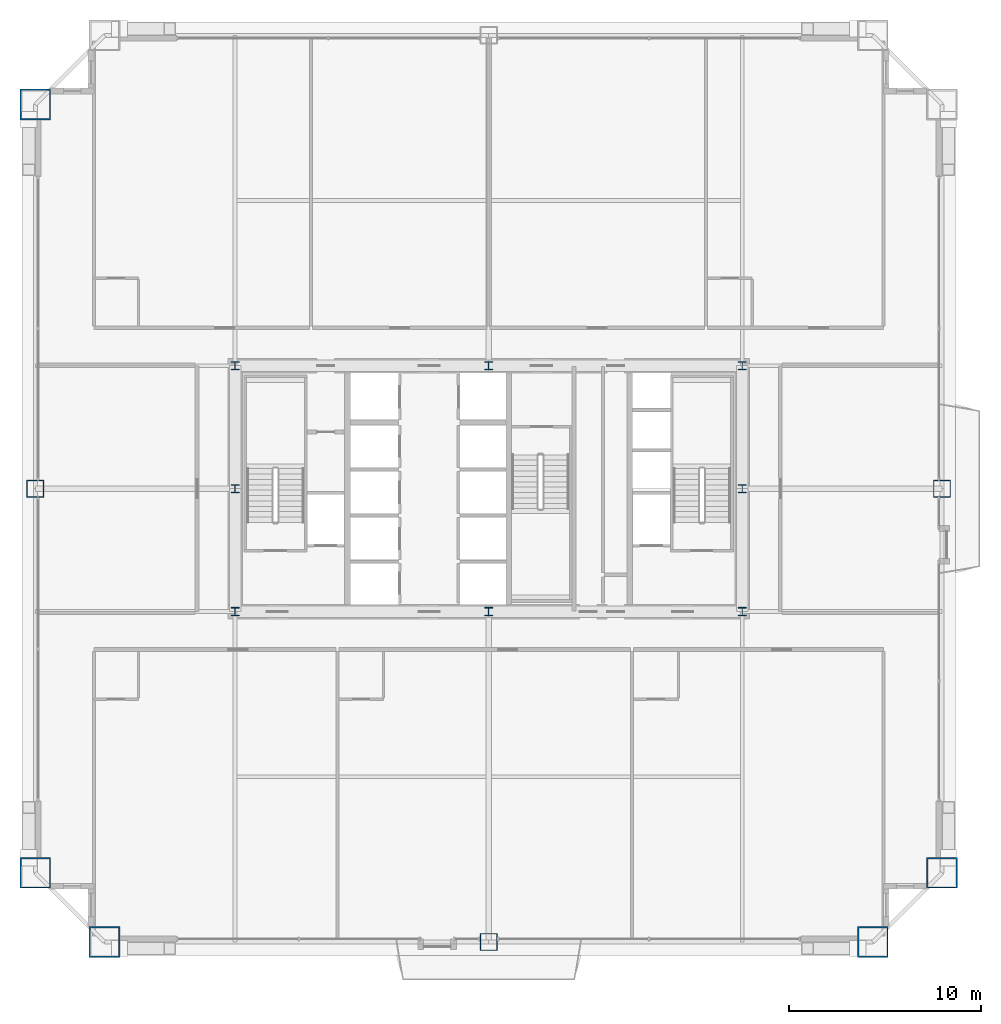
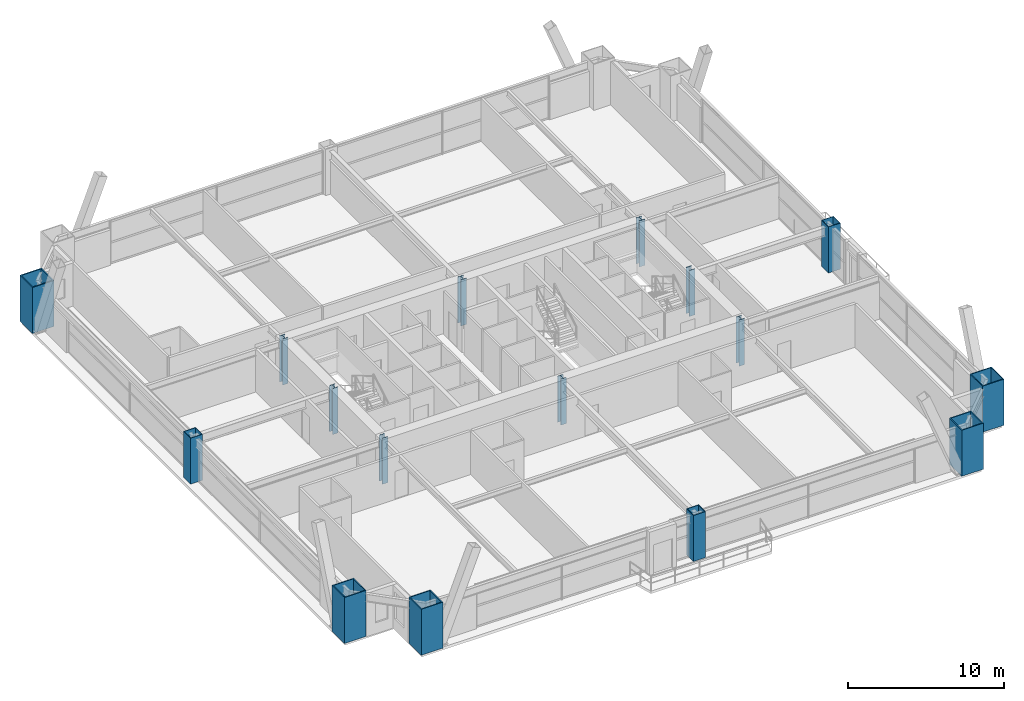
# One storey, part 1 of 43: 16 columns.
"""IFC4 building model written with IfcOpenShell, lengths in metres."""

from ifc_helpers import new_model, si_unit, direction, frame, origin, origin_2d, place, context, subcontext, project, spatial, hollow_rectangle, i_section, extrude, source, transform, mapped, material, material_profile, profile_set, type_object, element, save


model = new_model("IFC4")

# Units and contexts
model_context = context("Model", 3, precision=1e-05, world=origin(), true_north=direction((0.0, 1.0)))
body_context = subcontext(model_context, "Body", "Model", "MODEL_VIEW")
ifc_project = project(units=[si_unit("LENGTHUNIT", "METRE"), si_unit("AREAUNIT", "SQUARE_METRE"), si_unit("VOLUMEUNIT", "CUBIC_METRE"), si_unit("PLANEANGLEUNIT", "RADIAN"), si_unit("MASSUNIT", "GRAM", prefix="KILO"), si_unit("THERMODYNAMICTEMPERATUREUNIT", "KELVIN"), si_unit("POWERUNIT", "WATT")], contexts=[model_context])

# Site, building, storey
site_placement = place(None, origin())
site = spatial("IfcSite", under=ifc_project, at=site_placement, CompositionType="ELEMENT")
building_placement = place(site_placement, origin())
building = spatial("IfcBuilding", under=site, at=building_placement, Name="Yuzanri Waterfront Tower", CompositionType="ELEMENT")
storey_placement = place(building_placement, frame((0.0, 0.0, 101.0)))
storey = spatial("IfcBuildingStorey", under=building, at=storey_placement, Name="L26", CompositionType="ELEMENT", Elevation=101.0)

# Columns
ifc_material_1 = material(Name="Steel Q355B", Category="steel")
ifc_material_profile_1 = material_profile(ifc_material_1, i_section(OverallWidth=0.406982421875, OverallDepth=0.427978515625, WebThickness=0.02001953125, FlangeThickness=0.034912109375, at=origin_2d()), Name="HW 428x407x20x35")
ifc_profile_set_1 = profile_set([ifc_material_profile_1], Name="Steel Q355B")
column_type_1 = type_object("IfcColumnType", Name="Core Post Q355B HW 428x407x20x35", PredefinedType="COLUMN", material=ifc_profile_set_1)
shared_shape_1 = source(origin(), body_context, "Body", "SweptSolid", [
    extrude(i_section(OverallWidth=0.406982421875, OverallDepth=0.427978515625, WebThickness=0.02001953125, FlangeThickness=0.034912109375, at=origin_2d()), origin(), (0.0, 0.0, 1.0), 3.60009765625),
])
for number, where, z_axis, x_axis, name in (
    (1, (23.800048828125, 19.39990234375, 0.0), (0.0, 0.0, 1.0), (1.0, 0.0, 0.0), "L26 Core Boundary Column CP1"),
    (2, (37.0, 19.39990234375, 0.0), (0.0, 0.0, 1.0), (1.0, 0.0, 0.0), "L26 Core Boundary Column CP2"),
    (3, (50.199951171875, 19.39990234375, 0.0), (0.0, 0.0, 1.0), (1.0, 0.0, 0.0), "L26 Core Boundary Column CP3"),
    (4, (23.800048828125, 25.800048828125, 0.0), (0.0, 0.0, 1.0), (1.0, 0.0, 0.0), "L26 Core Boundary Column CP4"),
    (5, (50.199951171875, 25.800048828125, 0.0), (0.0, 0.0, 1.0), (1.0, 0.0, 0.0), "L26 Core Boundary Column CP5"),
    (6, (23.800048828125, 32.199951171875, 0.0), (0.0, 0.0, 1.0), (1.0, 0.0, 0.0), "L26 Core Boundary Column CP6"),
    (7, (37.0, 32.199951171875, 0.0), (0.0, 0.0, 1.0), (1.0, 0.0, 0.0), "L26 Core Boundary Column CP7"),
    (8, (50.199951171875, 32.199951171875, 0.0), (0.0, 0.0, 1.0), (1.0, 0.0, 0.0), "L26 Core Boundary Column CP8"),
):
    element("IfcColumn", number, at=place(storey_placement, frame(where, z_axis=z_axis, x_axis=x_axis)), inside=storey, type_object=column_type_1, Name=name, PredefinedType="COLUMN", context=body_context, shape_type="MappedRepresentation", body=[
        mapped(shared_shape_1, transform((0.0, 0.0, 0.0), scale=1.0)),
    ])
ifc_material_2 = material(Name="Steel Q390GJC", Category="steel")
ifc_material_profile_2 = material_profile(ifc_material_2, hollow_rectangle(XDim=0.89990234375, YDim=0.89990234375, WallThickness=0.0419921875, at=origin_2d()), Name="RHS 900x900x42")
ifc_profile_set_2 = profile_set([ifc_material_profile_2], Name="Steel Q390GJC")
column_type_2 = type_object("IfcColumnType", Name="Frame Column Q390GJC RHS 900x900x42", PredefinedType="COLUMN", material=ifc_profile_set_2)
shared_shape_2 = source(origin(), body_context, "Body", "SweptSolid", [
    extrude(hollow_rectangle(XDim=0.89990234375, YDim=0.89990234375, WallThickness=0.0419921875, at=origin_2d()), origin(), (0.0, 0.0, 1.0), 3.60009765625),
])
for number, where, z_axis, x_axis, name in (
    (9, (37.0, 2.199951171875, 0.0), (0.0, 0.0, 1.0), (1.0, 0.0, 0.0), "L26 Perimeter Frame Column S2"),
    (10, (13.39990234375, 25.800048828125, 0.0), (0.0, 0.0, 1.0), (1.0, 0.0, 0.0), "L26 Perimeter Frame Column W2"),
    (11, (60.60009765625, 25.800048828125, 0.0), (0.0, 0.0, 1.0), (1.0, 0.0, 0.0), "L26 Perimeter Frame Column E2"),
):
    element("IfcColumn", number, at=place(storey_placement, frame(where, z_axis=z_axis, x_axis=x_axis)), inside=storey, type_object=column_type_2, Name=name, PredefinedType="COLUMN", context=body_context, shape_type="MappedRepresentation", body=[
        mapped(shared_shape_2, transform((0.0, 0.0, 0.0), scale=1.0)),
    ])
ifc_material_3 = material(Name="Steel Q420GJC", Category="steel")
ifc_material_profile_3 = material_profile(ifc_material_3, hollow_rectangle(XDim=1.60009765625, YDim=1.60009765625, WallThickness=0.070068359375, at=origin_2d()), Name="RHS 1600x1600x70")
ifc_profile_set_3 = profile_set([ifc_material_profile_3], Name="Steel Q420GJC")
column_type_3 = type_object("IfcColumnType", Name="Mega Column Q420GJC RHS 1600x1600x70", PredefinedType="COLUMN", material=ifc_profile_set_3)
shared_shape_3 = source(origin(), body_context, "Body", "SweptSolid", [
    extrude(hollow_rectangle(XDim=1.60009765625, YDim=1.60009765625, WallThickness=0.070068359375, at=origin_2d()), origin(), (0.0, 0.0, 1.0), 3.60009765625),
])
for number, where, z_axis, x_axis, name in (
    (12, (17.0, 2.199951171875, 0.0), (0.0, 0.0, 1.0), (1.0, 0.0, 0.0), "L26 Perimeter Mega Column S1"),
    (13, (57.0, 2.199951171875, 0.0), (0.0, 0.0, 1.0), (1.0, 0.0, 0.0), "L26 Perimeter Mega Column S3"),
    (14, (13.39990234375, 5.800048828125, 0.0), (0.0, 0.0, 1.0), (1.0, 0.0, 0.0), "L26 Perimeter Mega Column W1"),
    (15, (13.39990234375, 45.800048828125, 0.0), (0.0, 0.0, 1.0), (1.0, 0.0, 0.0), "L26 Perimeter Mega Column W3"),
    (16, (60.60009765625, 5.800048828125, 0.0), (0.0, 0.0, 1.0), (1.0, 0.0, 0.0), "L26 Perimeter Mega Column E1"),
):
    element("IfcColumn", number, at=place(storey_placement, frame(where, z_axis=z_axis, x_axis=x_axis)), inside=storey, type_object=column_type_3, Name=name, PredefinedType="COLUMN", context=body_context, shape_type="MappedRepresentation", body=[
        mapped(shared_shape_3, transform((0.0, 0.0, 0.0), scale=1.0)),
    ])

save(model, "model.ifc")
